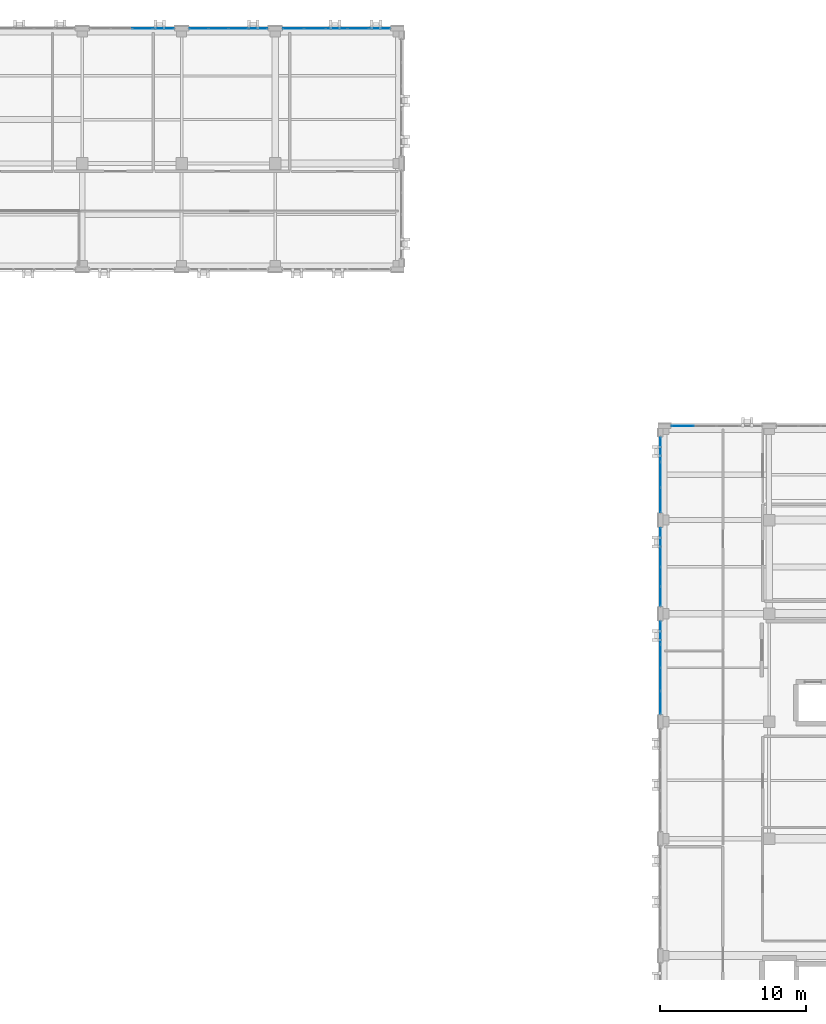
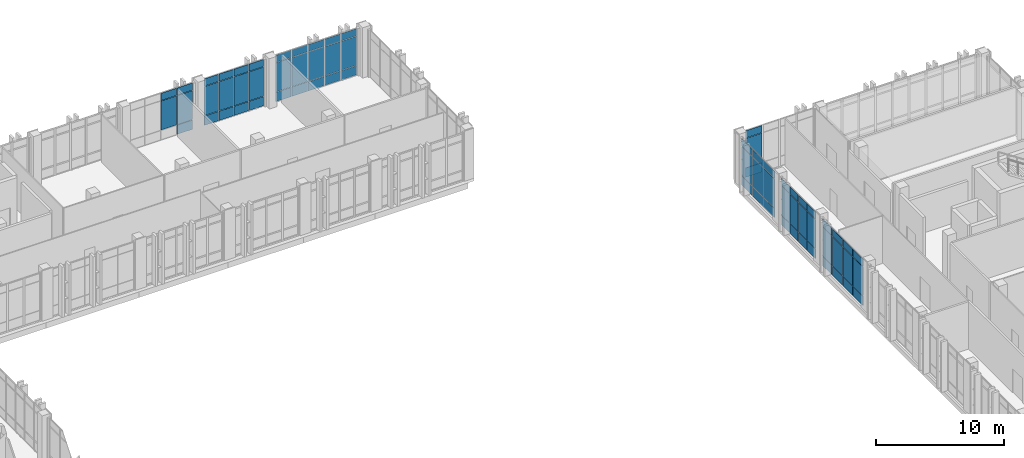
# One storey, part 145 of 189: 68 plates, 7 elements without a shape of their own.
"""IFC4 building model written with IfcOpenShell, lengths in metres."""

from ifc_helpers import new_model, si_unit, direction, frame, origin, origin_2d, place, context, subcontext, project, spatial, rectangle, extrude, material, layer, layer_set, type_object, element, aggregate, save


model = new_model("IFC4")

# Units and contexts
model_context = context("Model", 3, precision=1e-05, world=origin(), true_north=direction((0.0, 1.0)))
body_context = subcontext(model_context, "Body", "Model", "MODEL_VIEW")
ifc_project = project(units=[si_unit("LENGTHUNIT", "METRE"), si_unit("AREAUNIT", "SQUARE_METRE"), si_unit("VOLUMEUNIT", "CUBIC_METRE"), si_unit("PLANEANGLEUNIT", "RADIAN"), si_unit("MASSUNIT", "GRAM", prefix="KILO")], contexts=[model_context])

# Site, building, storey
site_placement = place(None, origin())
site = spatial("IfcSite", under=ifc_project, at=site_placement, CompositionType="ELEMENT")
building_placement = place(site_placement, origin())
building = spatial("IfcBuilding", under=site, at=building_placement, Name="Qalavern Law Courts", CompositionType="ELEMENT")
storey_placement = place(building_placement, frame((0.0, 0.0, 5.39990234375)))
storey = spatial("IfcBuildingStorey", under=building, at=storey_placement, Name="L01", CompositionType="ELEMENT", Elevation=5.39990234375)

# Curtain wall, plates
ifc_material_1 = material(Name="Anodised aluminium and insulated glazing", Category="aluminium")
ifc_layer_1 = layer(ifc_material_1, 0.172119140625)
ifc_layer_set_1 = layer_set([ifc_layer_1], Name="Anodised aluminium and insulated glazing")
curtain_wall_type_1 = type_object("IfcCurtainWallType", Name="ENV-CW-COURT", PredefinedType="USERDEFINED", material=ifc_layer_set_1)
curtain_wall_1_placement = place(storey_placement, origin())
curtain_wall_1 = element("IfcCurtainWall", 1, at=curtain_wall_1_placement, inside=storey, type_object=curtain_wall_type_1, Name="V4 unitised curtain wall L01 west 1", ObjectType="UNITISED CURTAIN WALL", PredefinedType="USERDEFINED")
ifc_material_2 = material(Name="Insulated low-E acoustic glazing", Category="glass")
ifc_layer_2 = layer(ifc_material_2, 0.0439453125)
ifc_layer_set_2 = layer_set([ifc_layer_2], Name="Insulated low-E acoustic glazing")
plate_type_1 = type_object("IfcPlateType", Name="ENV-CWP-44", PredefinedType="CURTAIN_PANEL", material=ifc_layer_set_2)
plate_1_placement = place(storey_placement, frame((84.362548828125, 84.021240234375, 0.048095703125), z_axis=(0.0, 0.0, 1.0), x_axis=(0.0, -1.0, 0.0)))
plate_1 = element("IfcPlate", 2, at=plate_1_placement, type_object=plate_type_1, Name="CW-03 panel 1.1", PredefinedType="CURTAIN_PANEL", context=body_context, shape_type="SweptSolid", body=[
    extrude(rectangle(XDim=1.661376953125, YDim=0.0439453125, at=origin_2d()), origin(), (0.0, 0.0, 1.0), 0.8779296875),
])
plate_2_placement = place(storey_placement, frame((84.362548828125, 84.021240234375, 0.97412109375), z_axis=(0.0, 0.0, 1.0), x_axis=(0.0, -1.0, 0.0)))
plate_2 = element("IfcPlate", 3, at=plate_2_placement, type_object=plate_type_1, Name="CW-03 panel 1.2", PredefinedType="CURTAIN_PANEL", context=body_context, shape_type="SweptSolid", body=[
    extrude(rectangle(XDim=1.661376953125, YDim=0.0439453125, at=origin_2d()), origin(), (0.0, 0.0, 1.0), 2.761962890625),
])
plate_3_placement = place(storey_placement, frame((84.362548828125, 84.021240234375, 3.7841796875), z_axis=(0.0, 0.0, 1.0), x_axis=(0.0, -1.0, 0.0)))
plate_3 = element("IfcPlate", 4, at=plate_3_placement, type_object=plate_type_1, Name="CW-03 panel 1.3", PredefinedType="CURTAIN_PANEL", context=body_context, shape_type="SweptSolid", body=[
    extrude(rectangle(XDim=1.661376953125, YDim=0.0439453125, at=origin_2d()), origin(), (0.0, 0.0, 1.0), 0.677978515625),
])
plate_4_placement = place(storey_placement, frame((84.362548828125, 82.300048828125, 0.048095703125), z_axis=(0.0, 0.0, 1.0), x_axis=(0.0, -1.0, 0.0)))
plate_4 = element("IfcPlate", 5, at=plate_4_placement, type_object=plate_type_1, Name="CW-03 panel 2.1", PredefinedType="CURTAIN_PANEL", context=body_context, shape_type="SweptSolid", body=[
    extrude(rectangle(XDim=1.685302734375, YDim=0.0439453125, at=origin_2d()), origin(), (0.0, 0.0, 1.0), 0.8779296875),
])
plate_5_placement = place(storey_placement, frame((84.362548828125, 82.300048828125, 0.97412109375), z_axis=(0.0, 0.0, 1.0), x_axis=(0.0, -1.0, 0.0)))
plate_5 = element("IfcPlate", 6, at=plate_5_placement, type_object=plate_type_1, Name="CW-03 panel 2.2", PredefinedType="CURTAIN_PANEL", context=body_context, shape_type="SweptSolid", body=[
    extrude(rectangle(XDim=1.685302734375, YDim=0.0439453125, at=origin_2d()), origin(), (0.0, 0.0, 1.0), 2.761962890625),
])
plate_6_placement = place(storey_placement, frame((84.362548828125, 82.300048828125, 3.7841796875), z_axis=(0.0, 0.0, 1.0), x_axis=(0.0, -1.0, 0.0)))
plate_6 = element("IfcPlate", 7, at=plate_6_placement, type_object=plate_type_1, Name="CW-03 panel 2.3", PredefinedType="CURTAIN_PANEL", context=body_context, shape_type="SweptSolid", body=[
    extrude(rectangle(XDim=1.685302734375, YDim=0.0439453125, at=origin_2d()), origin(), (0.0, 0.0, 1.0), 0.677978515625),
])
plate_7_placement = place(storey_placement, frame((84.362548828125, 80.57861328125, 0.048095703125), z_axis=(0.0, 0.0, 1.0), x_axis=(0.0, -1.0, 0.0)))
plate_7 = element("IfcPlate", 8, at=plate_7_placement, type_object=plate_type_1, Name="CW-03 panel 3.1", PredefinedType="CURTAIN_PANEL", context=body_context, shape_type="SweptSolid", body=[
    extrude(rectangle(XDim=1.661376953125, YDim=0.0439453125, at=origin_2d()), origin(), (0.0, 0.0, 1.0), 0.8779296875),
])
plate_8_placement = place(storey_placement, frame((84.362548828125, 80.57861328125, 0.97412109375), z_axis=(0.0, 0.0, 1.0), x_axis=(0.0, -1.0, 0.0)))
plate_8 = element("IfcPlate", 9, at=plate_8_placement, type_object=plate_type_1, Name="CW-03 panel 3.2", PredefinedType="CURTAIN_PANEL", context=body_context, shape_type="SweptSolid", body=[
    extrude(rectangle(XDim=1.661376953125, YDim=0.0439453125, at=origin_2d()), origin(), (0.0, 0.0, 1.0), 2.761962890625),
])
plate_9_placement = place(storey_placement, frame((84.362548828125, 80.57861328125, 3.7841796875), z_axis=(0.0, 0.0, 1.0), x_axis=(0.0, -1.0, 0.0)))
plate_9 = element("IfcPlate", 10, at=plate_9_placement, type_object=plate_type_1, Name="CW-03 panel 3.3", PredefinedType="CURTAIN_PANEL", context=body_context, shape_type="SweptSolid", body=[
    extrude(rectangle(XDim=1.661376953125, YDim=0.0439453125, at=origin_2d()), origin(), (0.0, 0.0, 1.0), 0.677978515625),
])
aggregate(curtain_wall_1, [plate_1, plate_2, plate_3, plate_4, plate_5, plate_6, plate_7, plate_8, plate_9])

ifc_layer_3 = layer(ifc_material_1, 0.166015625)
ifc_layer_set_3 = layer_set([ifc_layer_3], Name="Anodised aluminium and insulated glazing")
curtain_wall_type_2 = type_object("IfcCurtainWallType", Name="ENV-CW-LIB", PredefinedType="USERDEFINED", material=ifc_layer_set_3)
curtain_wall_2_placement = place(storey_placement, origin())
curtain_wall_2 = element("IfcCurtainWall", 11, at=curtain_wall_2_placement, inside=storey, type_object=curtain_wall_type_2, Name="V5 unitised curtain wall L01 north 1", ObjectType="UNITISED CURTAIN WALL", PredefinedType="USERDEFINED")
plate_10_placement = place(storey_placement, frame((65.14794921875, 112.83740234375, 0.048095703125), z_axis=(0.0, 0.0, 1.0), x_axis=(-1.0, 0.0, 0.0)))
plate_10 = element("IfcPlate", 12, at=plate_10_placement, type_object=plate_type_1, Name="CW-05 panel 1.1", PredefinedType="CURTAIN_PANEL", context=body_context, shape_type="SweptSolid", body=[
    extrude(rectangle(XDim=1.407958984375, YDim=0.0439453125, at=origin_2d()), origin(), (0.0, 0.0, 1.0), 0.8779296875),
])
plate_11_placement = place(storey_placement, frame((65.14794921875, 112.83740234375, 0.97412109375), z_axis=(0.0, 0.0, 1.0), x_axis=(-1.0, 0.0, 0.0)))
plate_11 = element("IfcPlate", 13, at=plate_11_placement, type_object=plate_type_1, Name="CW-05 panel 1.2", PredefinedType="CURTAIN_PANEL", context=body_context, shape_type="SweptSolid", body=[
    extrude(rectangle(XDim=1.407958984375, YDim=0.0439453125, at=origin_2d()), origin(), (0.0, 0.0, 1.0), 2.761962890625),
])
plate_12_placement = place(storey_placement, frame((65.14794921875, 112.83740234375, 3.7841796875), z_axis=(0.0, 0.0, 1.0), x_axis=(-1.0, 0.0, 0.0)))
plate_12 = element("IfcPlate", 14, at=plate_12_placement, type_object=plate_type_1, Name="CW-05 panel 1.3", PredefinedType="CURTAIN_PANEL", context=body_context, shape_type="SweptSolid", body=[
    extrude(rectangle(XDim=1.407958984375, YDim=0.0439453125, at=origin_2d()), origin(), (0.0, 0.0, 1.0), 0.677978515625),
])
plate_13_placement = place(storey_placement, frame((63.679931640625, 112.83740234375, 0.048095703125), z_axis=(0.0, 0.0, 1.0), x_axis=(-1.0, 0.0, 0.0)))
plate_13 = element("IfcPlate", 15, at=plate_13_placement, type_object=plate_type_1, Name="CW-05 panel 2.1", PredefinedType="CURTAIN_PANEL", context=body_context, shape_type="SweptSolid", body=[
    extrude(rectangle(XDim=1.431884765625, YDim=0.0439453125, at=origin_2d()), origin(), (0.0, 0.0, 1.0), 0.8779296875),
])
plate_14_placement = place(storey_placement, frame((63.679931640625, 112.83740234375, 0.97412109375), z_axis=(0.0, 0.0, 1.0), x_axis=(-1.0, 0.0, 0.0)))
plate_14 = element("IfcPlate", 16, at=plate_14_placement, type_object=plate_type_1, Name="CW-05 panel 2.2", PredefinedType="CURTAIN_PANEL", context=body_context, shape_type="SweptSolid", body=[
    extrude(rectangle(XDim=1.431884765625, YDim=0.0439453125, at=origin_2d()), origin(), (0.0, 0.0, 1.0), 2.761962890625),
])
plate_15_placement = place(storey_placement, frame((63.679931640625, 112.83740234375, 3.7841796875), z_axis=(0.0, 0.0, 1.0), x_axis=(-1.0, 0.0, 0.0)))
plate_15 = element("IfcPlate", 17, at=plate_15_placement, type_object=plate_type_1, Name="CW-05 panel 2.3", PredefinedType="CURTAIN_PANEL", context=body_context, shape_type="SweptSolid", body=[
    extrude(rectangle(XDim=1.431884765625, YDim=0.0439453125, at=origin_2d()), origin(), (0.0, 0.0, 1.0), 0.677978515625),
])
plate_16_placement = place(storey_placement, frame((62.199951171875, 112.83740234375, 0.048095703125), z_axis=(0.0, 0.0, 1.0), x_axis=(-1.0, 0.0, 0.0)))
plate_16 = element("IfcPlate", 18, at=plate_16_placement, type_object=plate_type_1, Name="CW-05 panel 3.1", PredefinedType="CURTAIN_PANEL", context=body_context, shape_type="SweptSolid", body=[
    extrude(rectangle(XDim=1.431884765625, YDim=0.0439453125, at=origin_2d()), origin(), (0.0, 0.0, 1.0), 0.8779296875),
])
plate_17_placement = place(storey_placement, frame((62.199951171875, 112.83740234375, 0.97412109375), z_axis=(0.0, 0.0, 1.0), x_axis=(-1.0, 0.0, 0.0)))
plate_17 = element("IfcPlate", 19, at=plate_17_placement, type_object=plate_type_1, Name="CW-05 panel 3.2", PredefinedType="CURTAIN_PANEL", context=body_context, shape_type="SweptSolid", body=[
    extrude(rectangle(XDim=1.431884765625, YDim=0.0439453125, at=origin_2d()), origin(), (0.0, 0.0, 1.0), 2.761962890625),
])
plate_18_placement = place(storey_placement, frame((62.199951171875, 112.83740234375, 3.7841796875), z_axis=(0.0, 0.0, 1.0), x_axis=(-1.0, 0.0, 0.0)))
plate_18 = element("IfcPlate", 20, at=plate_18_placement, type_object=plate_type_1, Name="CW-05 panel 3.3", PredefinedType="CURTAIN_PANEL", context=body_context, shape_type="SweptSolid", body=[
    extrude(rectangle(XDim=1.431884765625, YDim=0.0439453125, at=origin_2d()), origin(), (0.0, 0.0, 1.0), 0.677978515625),
])
plate_19_placement = place(storey_placement, frame((60.719970703125, 112.83740234375, 0.048095703125), z_axis=(0.0, 0.0, 1.0), x_axis=(-1.0, 0.0, 0.0)))
plate_19 = element("IfcPlate", 21, at=plate_19_placement, type_object=plate_type_1, Name="CW-05 panel 4.1", PredefinedType="CURTAIN_PANEL", context=body_context, shape_type="SweptSolid", body=[
    extrude(rectangle(XDim=1.431884765625, YDim=0.0439453125, at=origin_2d()), origin(), (0.0, 0.0, 1.0), 0.8779296875),
])
plate_20_placement = place(storey_placement, frame((60.719970703125, 112.83740234375, 0.97412109375), z_axis=(0.0, 0.0, 1.0), x_axis=(-1.0, 0.0, 0.0)))
plate_20 = element("IfcPlate", 22, at=plate_20_placement, type_object=plate_type_1, Name="CW-05 panel 4.2", PredefinedType="CURTAIN_PANEL", context=body_context, shape_type="SweptSolid", body=[
    extrude(rectangle(XDim=1.431884765625, YDim=0.0439453125, at=origin_2d()), origin(), (0.0, 0.0, 1.0), 2.761962890625),
])
plate_21_placement = place(storey_placement, frame((60.719970703125, 112.83740234375, 3.7841796875), z_axis=(0.0, 0.0, 1.0), x_axis=(-1.0, 0.0, 0.0)))
plate_21 = element("IfcPlate", 23, at=plate_21_placement, type_object=plate_type_1, Name="CW-05 panel 4.3", PredefinedType="CURTAIN_PANEL", context=body_context, shape_type="SweptSolid", body=[
    extrude(rectangle(XDim=1.431884765625, YDim=0.0439453125, at=origin_2d()), origin(), (0.0, 0.0, 1.0), 0.677978515625),
])
plate_22_placement = place(storey_placement, frame((59.251953125, 112.83740234375, 0.048095703125), z_axis=(0.0, 0.0, 1.0), x_axis=(-1.0, 0.0, 0.0)))
plate_22 = element("IfcPlate", 24, at=plate_22_placement, type_object=plate_type_1, Name="CW-05 panel 5.1", PredefinedType="CURTAIN_PANEL", context=body_context, shape_type="SweptSolid", body=[
    extrude(rectangle(XDim=1.407958984375, YDim=0.0439453125, at=origin_2d()), origin(), (0.0, 0.0, 1.0), 0.8779296875),
])
plate_23_placement = place(storey_placement, frame((59.251953125, 112.83740234375, 0.97412109375), z_axis=(0.0, 0.0, 1.0), x_axis=(-1.0, 0.0, 0.0)))
plate_23 = element("IfcPlate", 25, at=plate_23_placement, type_object=plate_type_1, Name="CW-05 panel 5.2", PredefinedType="CURTAIN_PANEL", context=body_context, shape_type="SweptSolid", body=[
    extrude(rectangle(XDim=1.407958984375, YDim=0.0439453125, at=origin_2d()), origin(), (0.0, 0.0, 1.0), 2.761962890625),
])
plate_24_placement = place(storey_placement, frame((59.251953125, 112.83740234375, 3.7841796875), z_axis=(0.0, 0.0, 1.0), x_axis=(-1.0, 0.0, 0.0)))
plate_24 = element("IfcPlate", 26, at=plate_24_placement, type_object=plate_type_1, Name="CW-05 panel 5.3", PredefinedType="CURTAIN_PANEL", context=body_context, shape_type="SweptSolid", body=[
    extrude(rectangle(XDim=1.407958984375, YDim=0.0439453125, at=origin_2d()), origin(), (0.0, 0.0, 1.0), 0.677978515625),
])
aggregate(curtain_wall_2, [plate_10, plate_11, plate_12, plate_13, plate_14, plate_15, plate_16, plate_17, plate_18, plate_19, plate_20, plate_21, plate_22, plate_23, plate_24])

curtain_wall_3_placement = place(storey_placement, origin())
curtain_wall_3 = element("IfcCurtainWall", 27, at=curtain_wall_3_placement, inside=storey, type_object=curtain_wall_type_1, Name="V4 unitised curtain wall L01 north 2", ObjectType="UNITISED CURTAIN WALL", PredefinedType="USERDEFINED")
ifc_layer_4 = layer(ifc_material_2, 0.048095703125)
ifc_layer_set_4 = layer_set([ifc_layer_4], Name="Insulated low-E acoustic glazing")
plate_type_2 = type_object("IfcPlateType", Name="ENV-CWP-48", PredefinedType="CURTAIN_PANEL", material=ifc_layer_set_4)
plate_25_placement = place(storey_placement, frame((85.886962890625, 85.637451171875, 0.048095703125), z_axis=(0.0, 0.0, 1.0), x_axis=(-1.0, 0.0, 0.0)))
plate_25 = element("IfcPlate", 28, at=plate_25_placement, type_object=plate_type_2, Name="CW-03 panel 4.1", PredefinedType="CURTAIN_PANEL", context=body_context, shape_type="SweptSolid", body=[
    extrude(rectangle(XDim=1.47802734375, YDim=0.048095703125, at=origin_2d()), origin(), (0.0, 0.0, 1.0), 0.8779296875),
])
plate_26_placement = place(storey_placement, frame((85.886962890625, 85.637451171875, 0.97412109375), z_axis=(0.0, 0.0, 1.0), x_axis=(-1.0, 0.0, 0.0)))
plate_26 = element("IfcPlate", 29, at=plate_26_placement, type_object=plate_type_2, Name="CW-03 panel 4.2", PredefinedType="CURTAIN_PANEL", context=body_context, shape_type="SweptSolid", body=[
    extrude(rectangle(XDim=1.47802734375, YDim=0.048095703125, at=origin_2d()), origin(), (0.0, 0.0, 1.0), 2.761962890625),
])
plate_27_placement = place(storey_placement, frame((85.886962890625, 85.637451171875, 3.7841796875), z_axis=(0.0, 0.0, 1.0), x_axis=(-1.0, 0.0, 0.0)))
plate_27 = element("IfcPlate", 30, at=plate_27_placement, type_object=plate_type_2, Name="CW-03 panel 4.3", PredefinedType="CURTAIN_PANEL", context=body_context, shape_type="SweptSolid", body=[
    extrude(rectangle(XDim=1.47802734375, YDim=0.048095703125, at=origin_2d()), origin(), (0.0, 0.0, 1.0), 0.677978515625),
])
aggregate(curtain_wall_3, [plate_25, plate_26, plate_27])

curtain_wall_4_placement = place(storey_placement, origin())
curtain_wall_4 = element("IfcCurtainWall", 31, at=curtain_wall_4_placement, inside=storey, type_object=curtain_wall_type_1, Name="V4 unitised curtain wall L01 west 2", ObjectType="UNITISED CURTAIN WALL", PredefinedType="USERDEFINED")
plate_28_placement = place(storey_placement, frame((84.362548828125, 78.012939453125, 0.048095703125), z_axis=(0.0, 0.0, 1.0), x_axis=(0.0, -1.0, 0.0)))
plate_28 = element("IfcPlate", 32, at=plate_28_placement, type_object=plate_type_2, Name="CW-03 panel 1.1", PredefinedType="CURTAIN_PANEL", context=body_context, shape_type="SweptSolid", body=[
    extrude(rectangle(XDim=1.278076171875, YDim=0.048095703125, at=origin_2d()), origin(), (0.0, 0.0, 1.0), 0.8779296875),
])
plate_29_placement = place(storey_placement, frame((84.362548828125, 78.012939453125, 0.97412109375), z_axis=(0.0, 0.0, 1.0), x_axis=(0.0, -1.0, 0.0)))
plate_29 = element("IfcPlate", 33, at=plate_29_placement, type_object=plate_type_2, Name="CW-03 panel 1.2", PredefinedType="CURTAIN_PANEL", context=body_context, shape_type="SweptSolid", body=[
    extrude(rectangle(XDim=1.278076171875, YDim=0.048095703125, at=origin_2d()), origin(), (0.0, 0.0, 1.0), 2.761962890625),
])
plate_30_placement = place(storey_placement, frame((84.362548828125, 78.012939453125, 3.7841796875), z_axis=(0.0, 0.0, 1.0), x_axis=(0.0, -1.0, 0.0)))
plate_30 = element("IfcPlate", 34, at=plate_30_placement, type_object=plate_type_2, Name="CW-03 panel 1.3", PredefinedType="CURTAIN_PANEL", context=body_context, shape_type="SweptSolid", body=[
    extrude(rectangle(XDim=1.278076171875, YDim=0.048095703125, at=origin_2d()), origin(), (0.0, 0.0, 1.0), 0.677978515625),
])
plate_31_placement = place(storey_placement, frame((84.362548828125, 76.675048828125, 0.048095703125), z_axis=(0.0, 0.0, 1.0), x_axis=(0.0, -1.0, 0.0)))
plate_31 = element("IfcPlate", 35, at=plate_31_placement, type_object=plate_type_2, Name="CW-03 panel 2.1", PredefinedType="CURTAIN_PANEL", context=body_context, shape_type="SweptSolid", body=[
    extrude(rectangle(XDim=1.302001953125, YDim=0.048095703125, at=origin_2d()), origin(), (0.0, 0.0, 1.0), 0.8779296875),
])
plate_32_placement = place(storey_placement, frame((84.362548828125, 76.675048828125, 0.97412109375), z_axis=(0.0, 0.0, 1.0), x_axis=(0.0, -1.0, 0.0)))
plate_32 = element("IfcPlate", 36, at=plate_32_placement, type_object=plate_type_2, Name="CW-03 panel 2.2", PredefinedType="CURTAIN_PANEL", context=body_context, shape_type="SweptSolid", body=[
    extrude(rectangle(XDim=1.302001953125, YDim=0.048095703125, at=origin_2d()), origin(), (0.0, 0.0, 1.0), 2.761962890625),
])
plate_33_placement = place(storey_placement, frame((84.362548828125, 76.675048828125, 3.7841796875), z_axis=(0.0, 0.0, 1.0), x_axis=(0.0, -1.0, 0.0)))
plate_33 = element("IfcPlate", 37, at=plate_33_placement, type_object=plate_type_2, Name="CW-03 panel 2.3", PredefinedType="CURTAIN_PANEL", context=body_context, shape_type="SweptSolid", body=[
    extrude(rectangle(XDim=1.302001953125, YDim=0.048095703125, at=origin_2d()), origin(), (0.0, 0.0, 1.0), 0.677978515625),
])
plate_34_placement = place(storey_placement, frame((84.362548828125, 75.324951171875, 0.048095703125), z_axis=(0.0, 0.0, 1.0), x_axis=(0.0, -1.0, 0.0)))
plate_34 = element("IfcPlate", 38, at=plate_34_placement, type_object=plate_type_2, Name="CW-03 panel 3.1", PredefinedType="CURTAIN_PANEL", context=body_context, shape_type="SweptSolid", body=[
    extrude(rectangle(XDim=1.302001953125, YDim=0.048095703125, at=origin_2d()), origin(), (0.0, 0.0, 1.0), 0.8779296875),
])
plate_35_placement = place(storey_placement, frame((84.362548828125, 75.324951171875, 0.97412109375), z_axis=(0.0, 0.0, 1.0), x_axis=(0.0, -1.0, 0.0)))
plate_35 = element("IfcPlate", 39, at=plate_35_placement, type_object=plate_type_2, Name="CW-03 panel 3.2", PredefinedType="CURTAIN_PANEL", context=body_context, shape_type="SweptSolid", body=[
    extrude(rectangle(XDim=1.302001953125, YDim=0.048095703125, at=origin_2d()), origin(), (0.0, 0.0, 1.0), 2.761962890625),
])
plate_36_placement = place(storey_placement, frame((84.362548828125, 75.324951171875, 3.7841796875), z_axis=(0.0, 0.0, 1.0), x_axis=(0.0, -1.0, 0.0)))
plate_36 = element("IfcPlate", 40, at=plate_36_placement, type_object=plate_type_2, Name="CW-03 panel 3.3", PredefinedType="CURTAIN_PANEL", context=body_context, shape_type="SweptSolid", body=[
    extrude(rectangle(XDim=1.302001953125, YDim=0.048095703125, at=origin_2d()), origin(), (0.0, 0.0, 1.0), 0.677978515625),
])
plate_37_placement = place(storey_placement, frame((84.362548828125, 73.987060546875, 0.048095703125), z_axis=(0.0, 0.0, 1.0), x_axis=(0.0, -1.0, 0.0)))
plate_37 = element("IfcPlate", 41, at=plate_37_placement, type_object=plate_type_2, Name="CW-03 panel 4.1", PredefinedType="CURTAIN_PANEL", context=body_context, shape_type="SweptSolid", body=[
    extrude(rectangle(XDim=1.278076171875, YDim=0.048095703125, at=origin_2d()), origin(), (0.0, 0.0, 1.0), 0.8779296875),
])
plate_38_placement = place(storey_placement, frame((84.362548828125, 73.987060546875, 0.97412109375), z_axis=(0.0, 0.0, 1.0), x_axis=(0.0, -1.0, 0.0)))
plate_38 = element("IfcPlate", 42, at=plate_38_placement, type_object=plate_type_2, Name="CW-03 panel 4.2", PredefinedType="CURTAIN_PANEL", context=body_context, shape_type="SweptSolid", body=[
    extrude(rectangle(XDim=1.278076171875, YDim=0.048095703125, at=origin_2d()), origin(), (0.0, 0.0, 1.0), 2.761962890625),
])
plate_39_placement = place(storey_placement, frame((84.362548828125, 73.987060546875, 3.7841796875), z_axis=(0.0, 0.0, 1.0), x_axis=(0.0, -1.0, 0.0)))
plate_39 = element("IfcPlate", 43, at=plate_39_placement, type_object=plate_type_2, Name="CW-03 panel 4.3", PredefinedType="CURTAIN_PANEL", context=body_context, shape_type="SweptSolid", body=[
    extrude(rectangle(XDim=1.278076171875, YDim=0.048095703125, at=origin_2d()), origin(), (0.0, 0.0, 1.0), 0.677978515625),
])
aggregate(curtain_wall_4, [plate_28, plate_29, plate_30, plate_31, plate_32, plate_33, plate_34, plate_35, plate_36, plate_37, plate_38, plate_39])

curtain_wall_5_placement = place(storey_placement, origin())
curtain_wall_5 = element("IfcCurtainWall", 44, at=curtain_wall_5_placement, inside=storey, type_object=curtain_wall_type_2, Name="V5 unitised curtain wall L01 north 2", ObjectType="UNITISED CURTAIN WALL", PredefinedType="USERDEFINED")
plate_40_placement = place(storey_placement, frame((56.81298828125, 112.83740234375, 0.048095703125), z_axis=(0.0, 0.0, 1.0), x_axis=(-1.0, 0.0, 0.0)))
plate_40 = element("IfcPlate", 45, at=plate_40_placement, type_object=plate_type_2, Name="CW-05 panel 1.1", PredefinedType="CURTAIN_PANEL", context=body_context, shape_type="SweptSolid", body=[
    extrude(rectangle(XDim=1.278076171875, YDim=0.048095703125, at=origin_2d()), origin(), (0.0, 0.0, 1.0), 0.8779296875),
])
plate_41_placement = place(storey_placement, frame((56.81298828125, 112.83740234375, 0.97412109375), z_axis=(0.0, 0.0, 1.0), x_axis=(-1.0, 0.0, 0.0)))
plate_41 = element("IfcPlate", 46, at=plate_41_placement, type_object=plate_type_2, Name="CW-05 panel 1.2", PredefinedType="CURTAIN_PANEL", context=body_context, shape_type="SweptSolid", body=[
    extrude(rectangle(XDim=1.278076171875, YDim=0.048095703125, at=origin_2d()), origin(), (0.0, 0.0, 1.0), 2.761962890625),
])
plate_42_placement = place(storey_placement, frame((56.81298828125, 112.83740234375, 3.7841796875), z_axis=(0.0, 0.0, 1.0), x_axis=(-1.0, 0.0, 0.0)))
plate_42 = element("IfcPlate", 47, at=plate_42_placement, type_object=plate_type_2, Name="CW-05 panel 1.3", PredefinedType="CURTAIN_PANEL", context=body_context, shape_type="SweptSolid", body=[
    extrude(rectangle(XDim=1.278076171875, YDim=0.048095703125, at=origin_2d()), origin(), (0.0, 0.0, 1.0), 0.677978515625),
])
plate_43_placement = place(storey_placement, frame((55.47509765625, 112.83740234375, 0.048095703125), z_axis=(0.0, 0.0, 1.0), x_axis=(-1.0, 0.0, 0.0)))
plate_43 = element("IfcPlate", 48, at=plate_43_placement, type_object=plate_type_2, Name="CW-05 panel 2.1", PredefinedType="CURTAIN_PANEL", context=body_context, shape_type="SweptSolid", body=[
    extrude(rectangle(XDim=1.302001953125, YDim=0.048095703125, at=origin_2d()), origin(), (0.0, 0.0, 1.0), 0.8779296875),
])
plate_44_placement = place(storey_placement, frame((55.47509765625, 112.83740234375, 0.97412109375), z_axis=(0.0, 0.0, 1.0), x_axis=(-1.0, 0.0, 0.0)))
plate_44 = element("IfcPlate", 49, at=plate_44_placement, type_object=plate_type_2, Name="CW-05 panel 2.2", PredefinedType="CURTAIN_PANEL", context=body_context, shape_type="SweptSolid", body=[
    extrude(rectangle(XDim=1.302001953125, YDim=0.048095703125, at=origin_2d()), origin(), (0.0, 0.0, 1.0), 2.761962890625),
])
plate_45_placement = place(storey_placement, frame((55.47509765625, 112.83740234375, 3.7841796875), z_axis=(0.0, 0.0, 1.0), x_axis=(-1.0, 0.0, 0.0)))
plate_45 = element("IfcPlate", 50, at=plate_45_placement, type_object=plate_type_2, Name="CW-05 panel 2.3", PredefinedType="CURTAIN_PANEL", context=body_context, shape_type="SweptSolid", body=[
    extrude(rectangle(XDim=1.302001953125, YDim=0.048095703125, at=origin_2d()), origin(), (0.0, 0.0, 1.0), 0.677978515625),
])
plate_46_placement = place(storey_placement, frame((54.125, 112.83740234375, 0.048095703125), z_axis=(0.0, 0.0, 1.0), x_axis=(-1.0, 0.0, 0.0)))
plate_46 = element("IfcPlate", 51, at=plate_46_placement, type_object=plate_type_2, Name="CW-05 panel 3.1", PredefinedType="CURTAIN_PANEL", context=body_context, shape_type="SweptSolid", body=[
    extrude(rectangle(XDim=1.302001953125, YDim=0.048095703125, at=origin_2d()), origin(), (0.0, 0.0, 1.0), 0.8779296875),
])
plate_47_placement = place(storey_placement, frame((54.125, 112.83740234375, 0.97412109375), z_axis=(0.0, 0.0, 1.0), x_axis=(-1.0, 0.0, 0.0)))
plate_47 = element("IfcPlate", 52, at=plate_47_placement, type_object=plate_type_2, Name="CW-05 panel 3.2", PredefinedType="CURTAIN_PANEL", context=body_context, shape_type="SweptSolid", body=[
    extrude(rectangle(XDim=1.302001953125, YDim=0.048095703125, at=origin_2d()), origin(), (0.0, 0.0, 1.0), 2.761962890625),
])
plate_48_placement = place(storey_placement, frame((54.125, 112.83740234375, 3.7841796875), z_axis=(0.0, 0.0, 1.0), x_axis=(-1.0, 0.0, 0.0)))
plate_48 = element("IfcPlate", 53, at=plate_48_placement, type_object=plate_type_2, Name="CW-05 panel 3.3", PredefinedType="CURTAIN_PANEL", context=body_context, shape_type="SweptSolid", body=[
    extrude(rectangle(XDim=1.302001953125, YDim=0.048095703125, at=origin_2d()), origin(), (0.0, 0.0, 1.0), 0.677978515625),
])
plate_49_placement = place(storey_placement, frame((52.787109375, 112.83740234375, 0.048095703125), z_axis=(0.0, 0.0, 1.0), x_axis=(-1.0, 0.0, 0.0)))
plate_49 = element("IfcPlate", 54, at=plate_49_placement, type_object=plate_type_2, Name="CW-05 panel 4.1", PredefinedType="CURTAIN_PANEL", context=body_context, shape_type="SweptSolid", body=[
    extrude(rectangle(XDim=1.278076171875, YDim=0.048095703125, at=origin_2d()), origin(), (0.0, 0.0, 1.0), 0.8779296875),
])
plate_50_placement = place(storey_placement, frame((52.787109375, 112.83740234375, 0.97412109375), z_axis=(0.0, 0.0, 1.0), x_axis=(-1.0, 0.0, 0.0)))
plate_50 = element("IfcPlate", 55, at=plate_50_placement, type_object=plate_type_2, Name="CW-05 panel 4.2", PredefinedType="CURTAIN_PANEL", context=body_context, shape_type="SweptSolid", body=[
    extrude(rectangle(XDim=1.278076171875, YDim=0.048095703125, at=origin_2d()), origin(), (0.0, 0.0, 1.0), 2.761962890625),
])
plate_51_placement = place(storey_placement, frame((52.787109375, 112.83740234375, 3.7841796875), z_axis=(0.0, 0.0, 1.0), x_axis=(-1.0, 0.0, 0.0)))
plate_51 = element("IfcPlate", 56, at=plate_51_placement, type_object=plate_type_2, Name="CW-05 panel 4.3", PredefinedType="CURTAIN_PANEL", context=body_context, shape_type="SweptSolid", body=[
    extrude(rectangle(XDim=1.278076171875, YDim=0.048095703125, at=origin_2d()), origin(), (0.0, 0.0, 1.0), 0.677978515625),
])
aggregate(curtain_wall_5, [plate_40, plate_41, plate_42, plate_43, plate_44, plate_45, plate_46, plate_47, plate_48, plate_49, plate_50, plate_51])

curtain_wall_6_placement = place(storey_placement, origin())
curtain_wall_6 = element("IfcCurtainWall", 57, at=curtain_wall_6_placement, inside=storey, type_object=curtain_wall_type_1, Name="V4 unitised curtain wall L01 west 3", ObjectType="UNITISED CURTAIN WALL", PredefinedType="USERDEFINED")
ifc_layer_5 = layer(ifc_material_2, 0.052001953125)
ifc_layer_set_5 = layer_set([ifc_layer_5], Name="Insulated low-E acoustic glazing")
plate_type_3 = type_object("IfcPlateType", Name="ENV-CWP-52", PredefinedType="CURTAIN_PANEL", material=ifc_layer_set_5)
plate_52_placement = place(storey_placement, frame((84.362548828125, 71.488037109375, 0.048095703125), z_axis=(0.0, 0.0, 1.0), x_axis=(0.0, -1.0, 0.0)))
plate_52 = element("IfcPlate", 58, at=plate_52_placement, type_object=plate_type_3, Name="CW-03 panel 1.1", PredefinedType="CURTAIN_PANEL", context=body_context, shape_type="SweptSolid", body=[
    extrude(rectangle(XDim=1.528076171875, YDim=0.052001953125, at=origin_2d()), origin(), (0.0, 0.0, 1.0), 0.8779296875),
])
plate_53_placement = place(storey_placement, frame((84.362548828125, 71.488037109375, 0.97412109375), z_axis=(0.0, 0.0, 1.0), x_axis=(0.0, -1.0, 0.0)))
plate_53 = element("IfcPlate", 59, at=plate_53_placement, type_object=plate_type_3, Name="CW-03 panel 1.2", PredefinedType="CURTAIN_PANEL", context=body_context, shape_type="SweptSolid", body=[
    extrude(rectangle(XDim=1.528076171875, YDim=0.052001953125, at=origin_2d()), origin(), (0.0, 0.0, 1.0), 2.761962890625),
])
plate_54_placement = place(storey_placement, frame((84.362548828125, 71.488037109375, 3.7841796875), z_axis=(0.0, 0.0, 1.0), x_axis=(0.0, -1.0, 0.0)))
plate_54 = element("IfcPlate", 60, at=plate_54_placement, type_object=plate_type_3, Name="CW-03 panel 1.3", PredefinedType="CURTAIN_PANEL", context=body_context, shape_type="SweptSolid", body=[
    extrude(rectangle(XDim=1.528076171875, YDim=0.052001953125, at=origin_2d()), origin(), (0.0, 0.0, 1.0), 0.677978515625),
])
plate_55_placement = place(storey_placement, frame((84.362548828125, 69.89990234375, 0.048095703125), z_axis=(0.0, 0.0, 1.0), x_axis=(0.0, -1.0, 0.0)))
plate_55 = element("IfcPlate", 61, at=plate_55_placement, type_object=plate_type_3, Name="CW-03 panel 2.1", PredefinedType="CURTAIN_PANEL", context=body_context, shape_type="SweptSolid", body=[
    extrude(rectangle(XDim=1.552001953125, YDim=0.052001953125, at=origin_2d()), origin(), (0.0, 0.0, 1.0), 0.8779296875),
])
plate_56_placement = place(storey_placement, frame((84.362548828125, 69.89990234375, 0.97412109375), z_axis=(0.0, 0.0, 1.0), x_axis=(0.0, -1.0, 0.0)))
plate_56 = element("IfcPlate", 62, at=plate_56_placement, type_object=plate_type_3, Name="CW-03 panel 2.2", PredefinedType="CURTAIN_PANEL", context=body_context, shape_type="SweptSolid", body=[
    extrude(rectangle(XDim=1.552001953125, YDim=0.052001953125, at=origin_2d()), origin(), (0.0, 0.0, 1.0), 2.761962890625),
])
plate_57_placement = place(storey_placement, frame((84.362548828125, 69.89990234375, 3.7841796875), z_axis=(0.0, 0.0, 1.0), x_axis=(0.0, -1.0, 0.0)))
plate_57 = element("IfcPlate", 63, at=plate_57_placement, type_object=plate_type_3, Name="CW-03 panel 2.3", PredefinedType="CURTAIN_PANEL", context=body_context, shape_type="SweptSolid", body=[
    extrude(rectangle(XDim=1.552001953125, YDim=0.052001953125, at=origin_2d()), origin(), (0.0, 0.0, 1.0), 0.677978515625),
])
plate_58_placement = place(storey_placement, frame((84.362548828125, 68.300048828125, 0.048095703125), z_axis=(0.0, 0.0, 1.0), x_axis=(0.0, -1.0, 0.0)))
plate_58 = element("IfcPlate", 64, at=plate_58_placement, type_object=plate_type_3, Name="CW-03 panel 3.1", PredefinedType="CURTAIN_PANEL", context=body_context, shape_type="SweptSolid", body=[
    extrude(rectangle(XDim=1.552001953125, YDim=0.052001953125, at=origin_2d()), origin(), (0.0, 0.0, 1.0), 0.8779296875),
])
plate_59_placement = place(storey_placement, frame((84.362548828125, 68.300048828125, 0.97412109375), z_axis=(0.0, 0.0, 1.0), x_axis=(0.0, -1.0, 0.0)))
plate_59 = element("IfcPlate", 65, at=plate_59_placement, type_object=plate_type_3, Name="CW-03 panel 3.2", PredefinedType="CURTAIN_PANEL", context=body_context, shape_type="SweptSolid", body=[
    extrude(rectangle(XDim=1.552001953125, YDim=0.052001953125, at=origin_2d()), origin(), (0.0, 0.0, 1.0), 2.761962890625),
])
plate_60_placement = place(storey_placement, frame((84.362548828125, 68.300048828125, 3.7841796875), z_axis=(0.0, 0.0, 1.0), x_axis=(0.0, -1.0, 0.0)))
plate_60 = element("IfcPlate", 66, at=plate_60_placement, type_object=plate_type_3, Name="CW-03 panel 3.3", PredefinedType="CURTAIN_PANEL", context=body_context, shape_type="SweptSolid", body=[
    extrude(rectangle(XDim=1.552001953125, YDim=0.052001953125, at=origin_2d()), origin(), (0.0, 0.0, 1.0), 0.677978515625),
])
plate_61_placement = place(storey_placement, frame((84.362548828125, 66.7119140625, 0.048095703125), z_axis=(0.0, 0.0, 1.0), x_axis=(0.0, -1.0, 0.0)))
plate_61 = element("IfcPlate", 67, at=plate_61_placement, type_object=plate_type_3, Name="CW-03 panel 4.1", PredefinedType="CURTAIN_PANEL", context=body_context, shape_type="SweptSolid", body=[
    extrude(rectangle(XDim=1.528076171875, YDim=0.052001953125, at=origin_2d()), origin(), (0.0, 0.0, 1.0), 0.8779296875),
])
plate_62_placement = place(storey_placement, frame((84.362548828125, 66.7119140625, 0.97412109375), z_axis=(0.0, 0.0, 1.0), x_axis=(0.0, -1.0, 0.0)))
plate_62 = element("IfcPlate", 68, at=plate_62_placement, type_object=plate_type_3, Name="CW-03 panel 4.2", PredefinedType="CURTAIN_PANEL", context=body_context, shape_type="SweptSolid", body=[
    extrude(rectangle(XDim=1.528076171875, YDim=0.052001953125, at=origin_2d()), origin(), (0.0, 0.0, 1.0), 2.761962890625),
])
plate_63_placement = place(storey_placement, frame((84.362548828125, 66.7119140625, 3.7841796875), z_axis=(0.0, 0.0, 1.0), x_axis=(0.0, -1.0, 0.0)))
plate_63 = element("IfcPlate", 69, at=plate_63_placement, type_object=plate_type_3, Name="CW-03 panel 4.3", PredefinedType="CURTAIN_PANEL", context=body_context, shape_type="SweptSolid", body=[
    extrude(rectangle(XDim=1.528076171875, YDim=0.052001953125, at=origin_2d()), origin(), (0.0, 0.0, 1.0), 0.677978515625),
])
aggregate(curtain_wall_6, [plate_52, plate_53, plate_54, plate_55, plate_56, plate_57, plate_58, plate_59, plate_60, plate_61, plate_62, plate_63])

curtain_wall_7_placement = place(storey_placement, origin())
curtain_wall_7 = element("IfcCurtainWall", 70, at=curtain_wall_7_placement, inside=storey, type_object=curtain_wall_type_2, Name="V5 unitised curtain wall L01 north 3", ObjectType="UNITISED CURTAIN WALL", PredefinedType="USERDEFINED")
plate_64_placement = place(storey_placement, frame((50.363037109375, 112.83740234375, 0.048095703125), z_axis=(0.0, 0.0, 1.0), x_axis=(-1.0, 0.0, 0.0)))
plate_64 = element("IfcPlate", 71, at=plate_64_placement, type_object=plate_type_3, Name="CW-05 panel 1.1", PredefinedType="CURTAIN_PANEL", context=body_context, shape_type="SweptSolid", body=[
    extrude(rectangle(XDim=1.3779296875, YDim=0.052001953125, at=origin_2d()), origin(), (0.0, 0.0, 1.0), 0.8779296875),
])
plate_65_placement = place(storey_placement, frame((50.363037109375, 112.83740234375, 0.97412109375), z_axis=(0.0, 0.0, 1.0), x_axis=(-1.0, 0.0, 0.0)))
plate_65 = element("IfcPlate", 72, at=plate_65_placement, type_object=plate_type_3, Name="CW-05 panel 1.2", PredefinedType="CURTAIN_PANEL", context=body_context, shape_type="SweptSolid", body=[
    extrude(rectangle(XDim=1.3779296875, YDim=0.052001953125, at=origin_2d()), origin(), (0.0, 0.0, 1.0), 2.761962890625),
])
plate_66_placement = place(storey_placement, frame((50.363037109375, 112.83740234375, 3.7841796875), z_axis=(0.0, 0.0, 1.0), x_axis=(-1.0, 0.0, 0.0)))
plate_66 = element("IfcPlate", 73, at=plate_66_placement, type_object=plate_type_3, Name="CW-05 panel 1.3", PredefinedType="CURTAIN_PANEL", context=body_context, shape_type="SweptSolid", body=[
    extrude(rectangle(XDim=1.3779296875, YDim=0.052001953125, at=origin_2d()), origin(), (0.0, 0.0, 1.0), 0.677978515625),
])
plate_67_placement = place(storey_placement, frame((48.925048828125, 112.83740234375, 0.97412109375), z_axis=(0.0, 0.0, 1.0), x_axis=(-1.0, 0.0, 0.0)))
plate_67 = element("IfcPlate", 74, at=plate_67_placement, type_object=plate_type_3, Name="CW-05 panel 2.2", PredefinedType="CURTAIN_PANEL", context=body_context, shape_type="SweptSolid", body=[
    extrude(rectangle(XDim=1.402099609375, YDim=0.052001953125, at=origin_2d()), origin(), (0.0, 0.0, 1.0), 2.761962890625),
])
plate_68_placement = place(storey_placement, frame((48.925048828125, 112.83740234375, 3.7841796875), z_axis=(0.0, 0.0, 1.0), x_axis=(-1.0, 0.0, 0.0)))
plate_68 = element("IfcPlate", 75, at=plate_68_placement, type_object=plate_type_3, Name="CW-05 panel 2.3", PredefinedType="CURTAIN_PANEL", context=body_context, shape_type="SweptSolid", body=[
    extrude(rectangle(XDim=1.402099609375, YDim=0.052001953125, at=origin_2d()), origin(), (0.0, 0.0, 1.0), 0.677978515625),
])
aggregate(curtain_wall_7, [plate_64, plate_65, plate_66, plate_67, plate_68])

save(model, "model.ifc")
